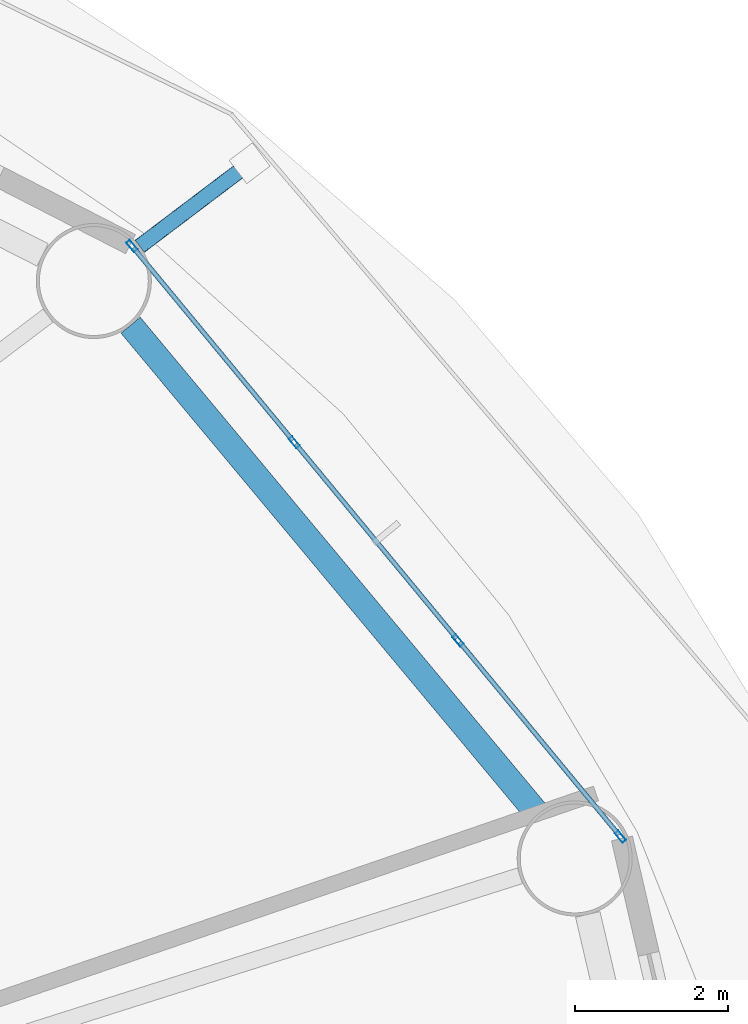
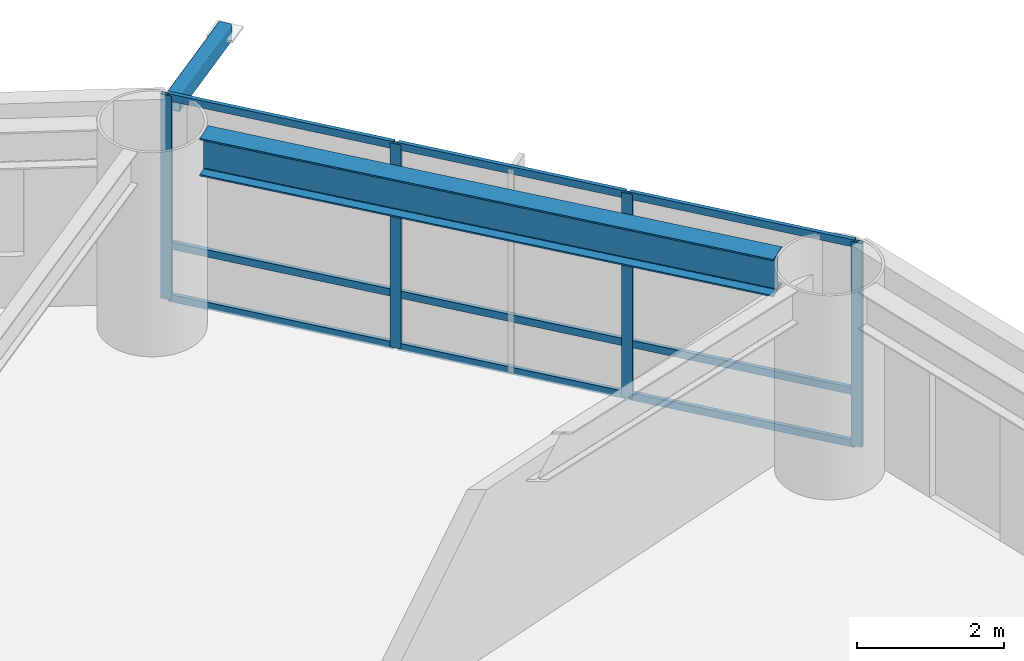
# One storey, part 14 of 26: 14 members, 1 beam, 1 element without a shape of its own.
"""IFC4 building model written with IfcOpenShell, lengths in metres."""

from ifc_helpers import new_model, si_unit, direction, frame, origin, origin_2d, place, context, subcontext, project, spatial, hollow_rectangle, i_section, extrude, material, layer, layer_set, material_profile, profile_set, type_object, element, aggregate, save


model = new_model("IFC4")

# Units and contexts
model_context = context("Model", 3, precision=1e-05, world=origin(), true_north=direction((0.0, 1.0)))
body_context = subcontext(model_context, "Body", "Model", "MODEL_VIEW")
ifc_project = project(units=[si_unit("LENGTHUNIT", "METRE"), si_unit("AREAUNIT", "SQUARE_METRE"), si_unit("VOLUMEUNIT", "CUBIC_METRE"), si_unit("PLANEANGLEUNIT", "RADIAN"), si_unit("MASSUNIT", "GRAM", prefix="KILO")], contexts=[model_context])

# Site, building, storey
site_placement = place(None, origin())
site = spatial("IfcSite", under=ifc_project, at=site_placement, CompositionType="ELEMENT")
building_placement = place(site_placement, origin())
building = spatial("IfcBuilding", under=site, at=building_placement, Name="Sarneth Arch Tower", CompositionType="ELEMENT")
storey_placement = place(building_placement, frame((0.0, 0.0, 71.39990234375)))
storey = spatial("IfcBuildingStorey", under=building, at=storey_placement, Name="L17", CompositionType="ELEMENT", Elevation=71.39990234375)

# Beam
ifc_material_1 = material(Name="Steel S355", Category="steel")
ifc_material_profile_1 = material_profile(ifc_material_1, i_section(OverallWidth=0.326904296875, OverallDepth=0.6220703125, WebThickness=0.015380859375, FlangeThickness=0.0244140625, FilletRadius=0.01904296875, at=origin_2d()), Name="W610x195")
ifc_profile_set_1 = profile_set([ifc_material_profile_1], Name="Steel S355")
beam_type = type_object("IfcBeamType", Name="BM-SPAN-610A", PredefinedType="SPANDREL", material=ifc_profile_set_1)
beam_placement = place(storey_placement, frame((75.485595703125, 51.45458984375, 3.069091796875), z_axis=(-0.639981736251, 0.768390120489, 0.0), x_axis=(-0.768390120489, -0.639981736251, 0.0)))
element("IfcBeam", 1, at=beam_placement, inside=storey, type_object=beam_type, Name="L17 Perimeter spandrel beam 02", PredefinedType="SPANDREL", context=body_context, shape_type="SweptSolid", body=[
    extrude(i_section(OverallWidth=0.326904296875, OverallDepth=0.6220703125, WebThickness=0.015380859375, FlangeThickness=0.0244140625, FilletRadius=0.01904296875, at=origin_2d()), origin(), (0.0, 0.0, 1.0), 8.29541015625),
])

# Curtain wall, members
ifc_material_2 = material(Name="Anodised aluminium Type AA25 and solar-control low-e laminated IGU", Category="aluminium")
ifc_layer = layer(ifc_material_2, 0.159912109375)
ifc_layer_set = layer_set([ifc_layer], Name="Anodised aluminium Type AA25 and solar-control low-e laminated IGU")
curtain_wall_type = type_object("IfcCurtainWallType", Name="CW-HOTEL-LOW", PredefinedType="NOTDEFINED", material=ifc_layer_set)
curtain_wall_placement = place(storey_placement, origin())
curtain_wall = element("IfcCurtainWall", 2, at=curtain_wall_placement, inside=storey, type_object=curtain_wall_type, Name="L17 Unitised curtain wall facet 02", PredefinedType="NOTDEFINED")
ifc_material_3 = material(Name="Anodised Aluminium 6063-T6", Category="aluminium")
ifc_material_profile_2 = material_profile(ifc_material_3, hollow_rectangle(XDim=0.06005859375, YDim=0.159912109375, WallThickness=0.00390625, at=origin_2d()), Name="AL-MULL-160x60x4")
ifc_profile_set_2 = profile_set([ifc_material_profile_2], Name="Anodised Aluminium 6063-T6")
member_type_1 = type_object("IfcMemberType", Name="CW-MULLION", PredefinedType="MULLION", material=ifc_profile_set_2)
member_1_placement = place(storey_placement, frame((76.561767578125, 51.16162109375, 0.0), z_axis=(0.0, 0.0, 1.0), x_axis=(-0.770622960278, -0.637291340827, 0.0)))
member_1 = element("IfcMember", 3, at=member_1_placement, type_object=member_type_1, Name="CW-SYS-3 mullion 1", PredefinedType="MULLION", context=body_context, shape_type="SweptSolid", body=[
    extrude(hollow_rectangle(XDim=0.06005859375, YDim=0.159912109375, WallThickness=0.00390625, at=origin_2d()), origin(), (0.0, 0.0, 1.0), 3.380126953125),
])
member_2_placement = place(storey_placement, frame((74.4453125, 53.720947265625, 0.0), z_axis=(0.0, 0.0, 1.0), x_axis=(-0.770622960278, -0.637291340827, 0.0)))
member_2 = element("IfcMember", 4, at=member_2_placement, type_object=member_type_1, Name="CW-SYS-3 mullion 2", PredefinedType="MULLION", context=body_context, shape_type="SweptSolid", body=[
    extrude(hollow_rectangle(XDim=0.06005859375, YDim=0.159912109375, WallThickness=0.00390625, at=origin_2d()), origin(), (0.0, 0.0, 1.0), 3.380126953125),
])
member_3_placement = place(storey_placement, frame((72.309814453125, 56.30322265625, 0.0), z_axis=(0.0, 0.0, 1.0), x_axis=(-0.770622960278, -0.637291340827, 0.0)))
member_3 = element("IfcMember", 5, at=member_3_placement, type_object=member_type_1, Name="CW-SYS-3 mullion 3", PredefinedType="MULLION", context=body_context, shape_type="SweptSolid", body=[
    extrude(hollow_rectangle(XDim=0.06005859375, YDim=0.159912109375, WallThickness=0.00390625, at=origin_2d()), origin(), (0.0, 0.0, 1.0), 3.380126953125),
])
member_4_placement = place(storey_placement, frame((70.193359375, 58.862548828125, 0.0), z_axis=(0.0, 0.0, 1.0), x_axis=(-0.770622960278, -0.637291340827, 0.0)))
member_4 = element("IfcMember", 6, at=member_4_placement, type_object=member_type_1, Name="CW-SYS-3 mullion 4", PredefinedType="MULLION", context=body_context, shape_type="SweptSolid", body=[
    extrude(hollow_rectangle(XDim=0.06005859375, YDim=0.159912109375, WallThickness=0.00390625, at=origin_2d()), origin(), (0.0, 0.0, 1.0), 3.380126953125),
])
ifc_material_4 = material(Name="Anodised Aluminium 6063-T6", Category="aluminium")
ifc_material_profile_3 = material_profile(ifc_material_4, hollow_rectangle(XDim=0.06005859375, YDim=0.1201171875, WallThickness=0.00390625, at=origin_2d()), Name="AL-TRAN-120x60x4")
ifc_profile_set_3 = profile_set([ifc_material_profile_3], Name="Anodised Aluminium 6063-T6")
member_type_2 = type_object("IfcMemberType", Name="CW-TRANSOM", PredefinedType="USERDEFINED", material=ifc_profile_set_3)
member_5_placement = place(storey_placement, frame((76.542724609375, 51.184814453125, 0.030029296875), z_axis=(-0.63733019572, 0.77059082633, 0.0), x_axis=(-0.77059082633, -0.63733019572, 0.0)))
member_5 = element("IfcMember", 7, at=member_5_placement, type_object=member_type_2, Name="CW-SYS-3 transom 1.1", ObjectType="TRANSOM", PredefinedType="USERDEFINED", context=body_context, shape_type="SweptSolid", body=[
    extrude(hollow_rectangle(XDim=0.06005859375, YDim=0.1201171875, WallThickness=0.00390625, at=origin_2d()), origin(), (0.0, 0.0, 1.0), 3.260986328125),
])
member_6_placement = place(storey_placement, frame((76.542724609375, 51.184814453125, 0.900146484375), z_axis=(-0.63733019572, 0.77059082633, 0.0), x_axis=(-0.77059082633, -0.63733019572, 0.0)))
member_6 = element("IfcMember", 8, at=member_6_placement, type_object=member_type_2, Name="CW-SYS-3 transom 1.2", ObjectType="TRANSOM", PredefinedType="USERDEFINED", context=body_context, shape_type="SweptSolid", body=[
    extrude(hollow_rectangle(XDim=0.06005859375, YDim=0.1201171875, WallThickness=0.00390625, at=origin_2d()), origin(), (0.0, 0.0, 1.0), 3.260986328125),
])
member_7_placement = place(storey_placement, frame((76.542724609375, 51.184814453125, 3.35009765625), z_axis=(-0.63733019572, 0.77059082633, 0.0), x_axis=(-0.77059082633, -0.63733019572, 0.0)))
member_7 = element("IfcMember", 9, at=member_7_placement, type_object=member_type_2, Name="CW-SYS-3 transom 1.3", ObjectType="TRANSOM", PredefinedType="USERDEFINED", context=body_context, shape_type="SweptSolid", body=[
    extrude(hollow_rectangle(XDim=0.06005859375, YDim=0.1201171875, WallThickness=0.00390625, at=origin_2d()), origin(), (0.0, 0.0, 1.0), 3.260986328125),
])
member_8_placement = place(storey_placement, frame((74.42626953125, 53.743896484375, 0.030029296875), z_axis=(-0.637268595771, 0.770641769465, 0.0), x_axis=(-0.770641769465, -0.637268595771, 0.0)))
member_8 = element("IfcMember", 10, at=member_8_placement, type_object=member_type_2, Name="CW-SYS-3 transom 2.1", ObjectType="TRANSOM", PredefinedType="USERDEFINED", context=body_context, shape_type="SweptSolid", body=[
    extrude(hollow_rectangle(XDim=0.06005859375, YDim=0.1201171875, WallThickness=0.00390625, at=origin_2d()), origin(), (0.0, 0.0, 1.0), 3.291259765625),
])
member_9_placement = place(storey_placement, frame((74.42626953125, 53.743896484375, 0.900146484375), z_axis=(-0.637268595771, 0.770641769465, 0.0), x_axis=(-0.770641769465, -0.637268595771, 0.0)))
member_9 = element("IfcMember", 11, at=member_9_placement, type_object=member_type_2, Name="CW-SYS-3 transom 2.2", ObjectType="TRANSOM", PredefinedType="USERDEFINED", context=body_context, shape_type="SweptSolid", body=[
    extrude(hollow_rectangle(XDim=0.06005859375, YDim=0.1201171875, WallThickness=0.00390625, at=origin_2d()), origin(), (0.0, 0.0, 1.0), 3.291259765625),
])
member_10_placement = place(storey_placement, frame((74.42626953125, 53.743896484375, 3.35009765625), z_axis=(-0.637268595771, 0.770641769465, 0.0), x_axis=(-0.770641769465, -0.637268595771, 0.0)))
member_10 = element("IfcMember", 12, at=member_10_placement, type_object=member_type_2, Name="CW-SYS-3 transom 2.3", ObjectType="TRANSOM", PredefinedType="USERDEFINED", context=body_context, shape_type="SweptSolid", body=[
    extrude(hollow_rectangle(XDim=0.06005859375, YDim=0.1201171875, WallThickness=0.00390625, at=origin_2d()), origin(), (0.0, 0.0, 1.0), 3.291259765625),
])
member_11_placement = place(storey_placement, frame((72.29052734375, 56.326416015625, 0.030029296875), z_axis=(-0.637285736625, 0.770627594817, 0.0), x_axis=(-0.770627594817, -0.637285736625, 0.0)))
member_11 = element("IfcMember", 13, at=member_11_placement, type_object=member_type_2, Name="CW-SYS-3 transom 3.1", ObjectType="TRANSOM", PredefinedType="USERDEFINED", context=body_context, shape_type="SweptSolid", body=[
    extrude(hollow_rectangle(XDim=0.06005859375, YDim=0.1201171875, WallThickness=0.00390625, at=origin_2d()), origin(), (0.0, 0.0, 1.0), 3.260986328125),
])
member_12_placement = place(storey_placement, frame((72.29052734375, 56.326416015625, 0.900146484375), z_axis=(-0.637285736625, 0.770627594817, 0.0), x_axis=(-0.770627594817, -0.637285736625, 0.0)))
member_12 = element("IfcMember", 14, at=member_12_placement, type_object=member_type_2, Name="CW-SYS-3 transom 3.2", ObjectType="TRANSOM", PredefinedType="USERDEFINED", context=body_context, shape_type="SweptSolid", body=[
    extrude(hollow_rectangle(XDim=0.06005859375, YDim=0.1201171875, WallThickness=0.00390625, at=origin_2d()), origin(), (0.0, 0.0, 1.0), 3.260986328125),
])
member_13_placement = place(storey_placement, frame((72.29052734375, 56.326416015625, 3.35009765625), z_axis=(-0.637285736625, 0.770627594817, 0.0), x_axis=(-0.770627594817, -0.637285736625, 0.0)))
member_13 = element("IfcMember", 15, at=member_13_placement, type_object=member_type_2, Name="CW-SYS-3 transom 3.3", ObjectType="TRANSOM", PredefinedType="USERDEFINED", context=body_context, shape_type="SweptSolid", body=[
    extrude(hollow_rectangle(XDim=0.06005859375, YDim=0.1201171875, WallThickness=0.00390625, at=origin_2d()), origin(), (0.0, 0.0, 1.0), 3.260986328125),
])
aggregate(curtain_wall, [member_1, member_2, member_3, member_4, member_5, member_6, member_7, member_8, member_9, member_10, member_11, member_12, member_13])

# Member
ifc_material_5 = material(Name="Steel S355", Category="steel")
ifc_material_profile_4 = material_profile(ifc_material_5, hollow_rectangle(XDim=0.199951171875, YDim=0.300048828125, WallThickness=0.012451171875, InnerFilletRadius=0.018798828125, OuterFilletRadius=0.03125, at=origin_2d()), Name="RHS300x200x12.5")
ifc_profile_set_4 = profile_set([ifc_material_profile_4], Name="Steel S355")
member_type_3 = type_object("IfcMemberType", Name="MEM-CANT-STRUT", PredefinedType="STRUT", material=ifc_profile_set_4)
member_14_placement = place(storey_placement, frame((70.294921875, 58.857177734375, 3.22021484375), z_axis=(0.79761146582, 0.603171575584, 0.0), x_axis=(-0.603171575584, 0.79761146582, 0.0)))
element("IfcMember", 16, at=member_14_placement, inside=storey, type_object=member_type_3, Name="L17 Balcony cantilever bracket 03", PredefinedType="STRUT", context=body_context, shape_type="SweptSolid", body=[
    extrude(hollow_rectangle(XDim=0.199951171875, YDim=0.300048828125, WallThickness=0.012451171875, InnerFilletRadius=0.018798828125, OuterFilletRadius=0.03125, at=origin_2d()), origin(), (0.0, 0.0, 1.0), 1.79541015625),
])

save(model, "model.ifc")
